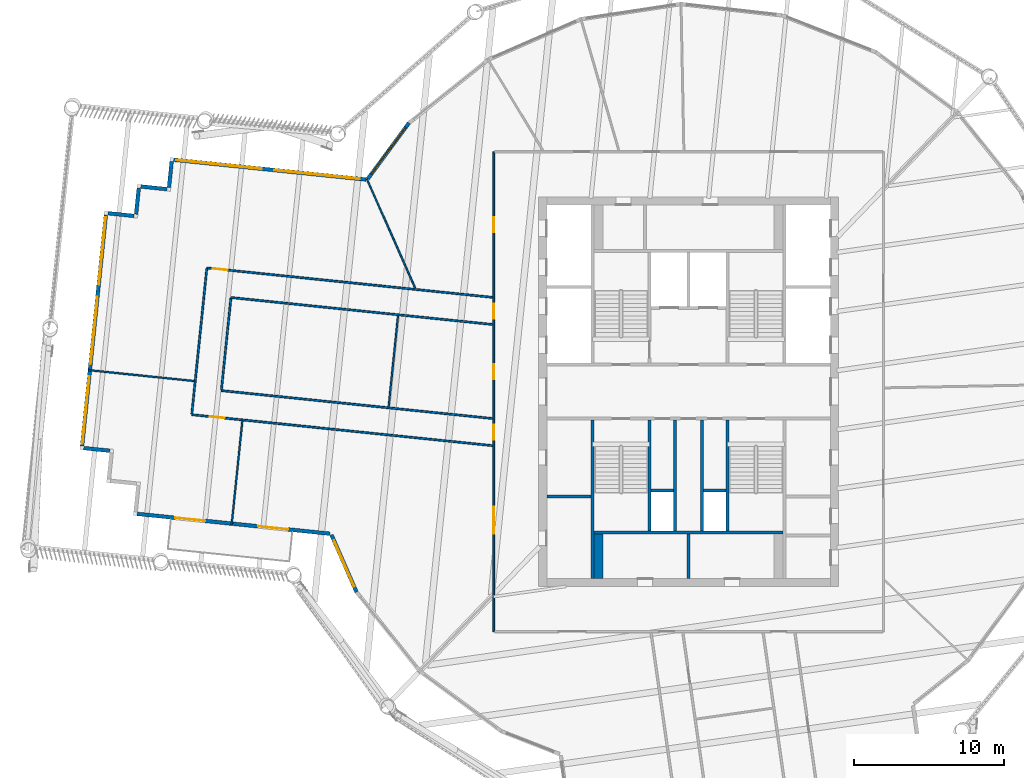
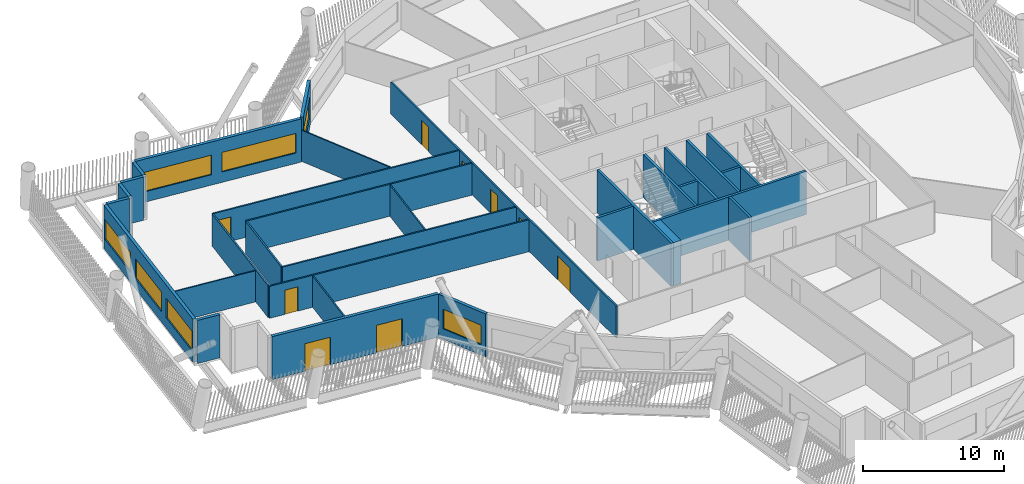
# One storey, part 4 of 22: 32 walls, 9 doors, 7 windows, 16 openings.
"""IFC4 building model written with IfcOpenShell, lengths in metres."""

from ifc_helpers import new_model, si_unit, direction, frame, frame_2d, origin, place, context, subcontext, project, spatial, rectangle, extrude, material, layer, layer_set, type_object, element, fill, save


model = new_model("IFC4")

# Units and contexts
model_context = context("Model", 3, precision=1e-05, world=origin(), true_north=direction((0.0, 1.0)))
body_context = subcontext(model_context, "Body", "Model", "MODEL_VIEW")
ifc_project = project(units=[si_unit("LENGTHUNIT", "METRE"), si_unit("AREAUNIT", "SQUARE_METRE"), si_unit("VOLUMEUNIT", "CUBIC_METRE"), si_unit("PLANEANGLEUNIT", "RADIAN"), si_unit("MASSUNIT", "GRAM", prefix="KILO")], contexts=[model_context])

# Site, building, storey
site_placement = place(None, origin())
site = spatial("IfcSite", under=ifc_project, at=site_placement, CompositionType="ELEMENT")
building_placement = place(site_placement, origin())
building = spatial("IfcBuilding", under=site, at=building_placement, Name="Tarsis Ring Headquarters", CompositionType="ELEMENT")
storey_placement = place(building_placement, frame((0.0, 0.0, 263.0)))
storey = spatial("IfcBuildingStorey", under=building, at=storey_placement, Name="L61", CompositionType="ELEMENT", Elevation=263.0)

# Walls
ifc_material_1 = material(Name="Blockwork", Category="masonry")
ifc_layer_1 = layer(ifc_material_1, 0.199951171875)
ifc_layer_set_1 = layer_set([ifc_layer_1], Name="Core blockwork wall 200")
wall_type_1 = type_object("IfcWallType", Name="Core blockwork wall 200", PredefinedType="PARTITIONING", material=ifc_layer_set_1)
for number, where, z_axis, x_axis, name in (
    (1, (-9.449951171875, -7.0, 0.0), (0.0, 0.0, 1.0), (1.0, 0.0, 0.0), "Core partition WD2"),
    (2, (0.0, -12.449951171875, 0.0), (0.0, 0.0, 1.0), (0.0, 1.0, 0.0), "Core partition SD2"),
):
    element("IfcWall", number, at=place(storey_placement, frame(where, z_axis=z_axis, x_axis=x_axis)), inside=storey, type_object=wall_type_1, Name=name, PredefinedType="PARTITIONING", context=body_context, shape_type="SweptSolid", body=[
        extrude(rectangle(XDim=2.949951171875, YDim=0.199951171875, at=frame_2d((1.47509765625, 0.0))), origin(), (0.0, 0.0, 1.0), 3.739990234375),
    ])
for number, where, z_axis, x_axis, name in (
    (3, (-2.5, -6.60009765625, 0.0), (0.0, 0.0, 1.0), (1.0, 0.0, 0.0), "Core partition SP1"),
    (4, (1.0, -6.60009765625, 0.0), (0.0, 0.0, 1.0), (1.0, 0.0, 0.0), "Core partition SP3"),
):
    element("IfcWall", number, at=place(storey_placement, frame(where, z_axis=z_axis, x_axis=x_axis)), inside=storey, type_object=wall_type_1, Name=name, PredefinedType="PARTITIONING", context=body_context, shape_type="SweptSolid", body=[
        extrude(rectangle(XDim=1.5, YDim=0.199951171875, at=frame_2d((0.75, 0.0))), origin(), (0.0, 0.0, 1.0), 3.739990234375),
    ])
for number, where, z_axis, x_axis, name in (
    (5, (-0.89990234375, -9.300048828125, 0.0), (0.0, 0.0, 1.0), (0.0, 1.0, 0.0), "Core partition SV1"),
    (6, (0.89990234375, -9.300048828125, 0.0), (0.0, 0.0, 1.0), (0.0, 1.0, 0.0), "Core partition SV2"),
):
    element("IfcWall", number, at=place(storey_placement, frame(where, z_axis=z_axis, x_axis=x_axis)), inside=storey, type_object=wall_type_1, Name=name, PredefinedType="PARTITIONING", context=body_context, shape_type="SweptSolid", body=[
        extrude(rectangle(XDim=7.400146484375, YDim=0.199951171875, at=frame_2d((3.7001953125, 0.0))), origin(), (0.0, 0.0, 1.0), 3.739990234375),
    ])
ifc_material_2 = material(Name="Gypsum board on steel studs", Category="steel")
ifc_layer_2 = layer(ifc_material_2, 0.10009765625)
ifc_layer_set_2 = layer_set([ifc_layer_2], Name="FL partition 100 unrated")
wall_type_2 = type_object("IfcWallType", Name="FL partition 100 unrated", PredefinedType="PARTITIONING", material=ifc_layer_set_2)
wall_1_placement = place(storey_placement, frame((-21.461181640625, 14.1982421875, 0.0), z_axis=(0.0, 0.0, 1.0), x_axis=(0.404678304891, -0.91445911311, 0.0)))
element("IfcWall", 7, at=wall_1_placement, inside=storey, type_object=wall_type_2, Name="Partition PW3", PredefinedType="PARTITIONING", context=body_context, shape_type="SweptSolid", body=[
    extrude(rectangle(XDim=7.976806640625, YDim=0.10009765625, at=frame_2d((3.98828125, 0.0))), origin(), (0.0, 0.0, 1.0), 2.699951171875),
])
wall_2_placement = place(storey_placement, frame((-40.01318359375, 1.436767578125, 0.0), z_axis=(0.0, 0.0, 1.0), x_axis=(0.994737400221, -0.102457330641, 0.0)))
element("IfcWall", 8, at=wall_2_placement, inside=storey, type_object=wall_type_2, Name="Partition PW3", PredefinedType="PARTITIONING", context=body_context, shape_type="SweptSolid", body=[
    extrude(rectangle(XDim=7.06982421875, YDim=0.10009765625, at=frame_2d((3.534912109375, 0.0))), origin(), (0.0, 0.0, 1.0), 2.699951171875),
])
wall_3_placement = place(storey_placement, frame((-30.4794921875, -8.874267578125, 0.0), z_axis=(0.0, 0.0, 1.0), x_axis=(0.102424035432, 0.994740829043, 0.0)))
element("IfcWall", 9, at=wall_3_placement, inside=storey, type_object=wall_type_2, Name="Partition PW3", PredefinedType="PARTITIONING", context=body_context, shape_type="SweptSolid", body=[
    extrude(rectangle(XDim=6.960205078125, YDim=0.10009765625, at=frame_2d((3.47998046875, 0.0))), origin(), (0.0, 0.0, 1.0), 2.699951171875),
])
wall_4_placement = place(storey_placement, frame((-20.00830078125, -1.005615234375, 0.0), z_axis=(0.0, 0.0, 1.0), x_axis=(0.1024553716, 0.994737601999, 0.0)))
element("IfcWall", 10, at=wall_4_placement, inside=storey, type_object=wall_type_2, Name="Partition PW3", PredefinedType="PARTITIONING", context=body_context, shape_type="SweptSolid", body=[
    extrude(rectangle(XDim=6.10009765625, YDim=0.10009765625, at=frame_2d((3.050048828125, 0.0))), origin(), (0.0, 0.0, 1.0), 2.699951171875),
])

# Wall, openings, doors
ifc_layer_3 = layer(ifc_material_2, 0.125)
ifc_layer_set_3 = layer_set([ifc_layer_3], Name="FL partition 125 EI 60 H2770")
wall_type_3 = type_object("IfcWallType", Name="FL partition 125 EI 60 H2770", PredefinedType="PARTITIONING", material=ifc_layer_set_3)
wall_5_placement = place(storey_placement, frame((-13.0, -16.0, 0.0), z_axis=(0.0, 0.0, 1.0), x_axis=(0.0, 1.0, 0.0)))
wall_5 = element("IfcWall", 11, at=wall_5_placement, inside=storey, type_object=wall_type_3, Name="Partition PW1", PredefinedType="PARTITIONING", context=body_context, shape_type="SweptSolid", body=[
    extrude(rectangle(XDim=32.0, YDim=0.125, at=frame_2d((16.0, 0.0))), origin(), (0.0, 0.0, 1.0), 2.77001953125),
])
opening_1_placement = place(wall_5_placement, frame((26.642333984375, 0.0, 0.0)))
opening_1 = element("IfcOpeningElement", 12, at=opening_1_placement, cuts=wall_5, Name="Opening D61.03", PredefinedType="OPENING", context=body_context, shape_type="SweptSolid", body=[
    extrude(rectangle(XDim=1.0, YDim=2.10009765625, at=frame_2d((0.5, 1.050048828125))), frame((0.0, 0.072509765625, 0.0), z_axis=(0.0, -1.0, 0.0), x_axis=(1.0, 0.0, 0.0)), (0.0, 0.0, 1.0), 0.14501953125),
])
opening_2_placement = place(wall_5_placement, frame((6.537109375, 0.0, 0.0)))
opening_2 = element("IfcOpeningElement", 13, at=opening_2_placement, cuts=wall_5, Name="Opening D61.12", PredefinedType="OPENING", context=body_context, shape_type="SweptSolid", body=[
    extrude(rectangle(XDim=1.800048828125, YDim=2.10009765625, at=frame_2d((0.89990234375, 1.050048828125))), frame((0.0, 0.072509765625, 0.0), z_axis=(0.0, -1.0, 0.0), x_axis=(1.0, 0.0, 0.0)), (0.0, 0.0, 1.0), 0.14501953125),
])
opening_3_placement = place(wall_5_placement, frame((16.8388671875, 0.0, 0.0)))
opening_3 = element("IfcOpeningElement", 14, at=opening_3_placement, cuts=wall_5, Name="Opening D61.13", PredefinedType="OPENING", context=body_context, shape_type="SweptSolid", body=[
    extrude(rectangle(XDim=1.0, YDim=2.10009765625, at=frame_2d((0.5, 1.050048828125))), frame((0.0, 0.072509765625, 0.0), z_axis=(0.0, -1.0, 0.0), x_axis=(1.0, 0.0, 0.0)), (0.0, 0.0, 1.0), 0.14501953125),
])
opening_4_placement = place(wall_5_placement, frame((12.797607421875, 0.0, 0.0)))
opening_4 = element("IfcOpeningElement", 15, at=opening_4_placement, cuts=wall_5, Name="Opening D61.18", PredefinedType="OPENING", context=body_context, shape_type="SweptSolid", body=[
    extrude(rectangle(XDim=1.0, YDim=2.10009765625, at=frame_2d((0.5, 1.050048828125))), frame((0.0, 0.072509765625, 0.0), z_axis=(0.0, -1.0, 0.0), x_axis=(1.0, 0.0, 0.0)), (0.0, 0.0, 1.0), 0.14501953125),
])
opening_5_placement = place(wall_5_placement, frame((20.880126953125, 0.0, 0.0)))
opening_5 = element("IfcOpeningElement", 16, at=opening_5_placement, cuts=wall_5, Name="Opening D61.19", PredefinedType="OPENING", context=body_context, shape_type="SweptSolid", body=[
    extrude(rectangle(XDim=1.0, YDim=2.10009765625, at=frame_2d((0.5, 1.050048828125))), frame((0.0, 0.072509765625, 0.0), z_axis=(0.0, -1.0, 0.0), x_axis=(1.0, 0.0, 0.0)), (0.0, 0.0, 1.0), 0.14501953125),
])
ifc_material_3 = material(Name="Fire-rated timber door leaf in steel frame", Category="steel")
door_type_1 = type_object("IfcDoorType", Name="FL door FD60-1000", OperationType="NOTDEFINED", PredefinedType="DOOR", material=ifc_material_3)
door_1_placement = place(opening_1_placement, origin())
door_1 = element("IfcDoor", 17, at=door_1_placement, inside=storey, type_object=door_type_1, Name="Door D61.03", OperationType="SINGLE_SWING_RIGHT", OverallHeight=2.10009765625, OverallWidth=1.0, PredefinedType="DOOR", context=body_context, shape_type="SweptSolid", body=[
    extrude(rectangle(XDim=1.0, YDim=2.10009765625, at=frame_2d((0.5, 1.050048828125))), frame((0.0, 0.02490234375, 0.0), z_axis=(0.0, -1.0, 0.0), x_axis=(1.0, 0.0, 0.0)), (0.0, 0.0, 1.0), 0.050048828125),
])
fill(opening_1, door_1)
door_2_placement = place(opening_3_placement, origin())
door_2 = element("IfcDoor", 18, at=door_2_placement, inside=storey, type_object=door_type_1, Name="Door D61.13", OperationType="SINGLE_SWING_RIGHT", OverallHeight=2.10009765625, OverallWidth=1.0, PredefinedType="DOOR", context=body_context, shape_type="SweptSolid", body=[
    extrude(rectangle(XDim=1.0, YDim=2.10009765625, at=frame_2d((0.5, 1.050048828125))), frame((0.0, 0.02490234375, 0.0), z_axis=(0.0, -1.0, 0.0), x_axis=(1.0, 0.0, 0.0)), (0.0, 0.0, 1.0), 0.050048828125),
])
fill(opening_3, door_2)
door_3_placement = place(opening_4_placement, origin())
door_3 = element("IfcDoor", 19, at=door_3_placement, inside=storey, type_object=door_type_1, Name="Door D61.18", OperationType="SINGLE_SWING_LEFT", OverallHeight=2.10009765625, OverallWidth=1.0, PredefinedType="DOOR", context=body_context, shape_type="SweptSolid", body=[
    extrude(rectangle(XDim=1.0, YDim=2.10009765625, at=frame_2d((0.5, 1.050048828125))), frame((0.0, 0.02490234375, 0.0), z_axis=(0.0, -1.0, 0.0), x_axis=(1.0, 0.0, 0.0)), (0.0, 0.0, 1.0), 0.050048828125),
])
fill(opening_4, door_3)
door_4_placement = place(opening_5_placement, origin())
door_4 = element("IfcDoor", 20, at=door_4_placement, inside=storey, type_object=door_type_1, Name="Door D61.19", OperationType="SINGLE_SWING_RIGHT", OverallHeight=2.10009765625, OverallWidth=1.0, PredefinedType="DOOR", context=body_context, shape_type="SweptSolid", body=[
    extrude(rectangle(XDim=1.0, YDim=2.10009765625, at=frame_2d((0.5, 1.050048828125))), frame((0.0, 0.02490234375, 0.0), z_axis=(0.0, -1.0, 0.0), x_axis=(1.0, 0.0, 0.0)), (0.0, 0.0, 1.0), 0.050048828125),
])
fill(opening_5, door_4)
door_type_2 = type_object("IfcDoorType", Name="FL door FD60-1800", OperationType="DOUBLE_DOOR_SINGLE_SWING", PredefinedType="DOOR", material=ifc_material_3)
door_5_placement = place(opening_2_placement, origin())
door_5 = element("IfcDoor", 21, at=door_5_placement, inside=storey, type_object=door_type_2, Name="Door D61.12", OperationType="DOUBLE_DOOR_SINGLE_SWING", OverallHeight=2.10009765625, OverallWidth=1.800048828125, PredefinedType="DOOR", context=body_context, shape_type="SweptSolid", body=[
    extrude(rectangle(XDim=1.800048828125, YDim=2.10009765625, at=frame_2d((0.89990234375, 1.050048828125))), frame((0.0, 0.02490234375, 0.0), z_axis=(0.0, -1.0, 0.0), x_axis=(1.0, 0.0, 0.0)), (0.0, 0.0, 1.0), 0.050048828125),
])
fill(opening_2, door_5)

# Wall, opening, door
wall_6_placement = place(storey_placement, frame((-33.141357421875, -1.532958984375, 0.0), z_axis=(0.0, 0.0, 1.0), x_axis=(0.994738621738, -0.102445470483, 0.0)))
wall_6 = element("IfcWall", 22, at=wall_6_placement, inside=storey, type_object=wall_type_3, Name="Partition PW1", PredefinedType="PARTITIONING", context=body_context, shape_type="SweptSolid", body=[
    extrude(rectangle(XDim=20.177978515625, YDim=0.125, at=frame_2d((10.0888671875, 0.0))), origin(), (0.0, 0.0, 1.0), 2.77001953125),
])
opening_6_placement = place(wall_6_placement, frame((1.197998046875, 0.0, 0.0)))
opening_6 = element("IfcOpeningElement", 23, at=opening_6_placement, cuts=wall_6, Name="Opening D61.01", PredefinedType="OPENING", context=body_context, shape_type="SweptSolid", body=[
    extrude(rectangle(XDim=1.0, YDim=2.10009765625, at=frame_2d((0.5, 1.050048828125))), frame((0.0, 0.072509765625, 0.0), z_axis=(0.0, -1.0, 0.0), x_axis=(1.0, 0.0, 0.0)), (0.0, 0.0, 1.0), 0.14501953125),
])
door_6_placement = place(opening_6_placement, origin())
door_6 = element("IfcDoor", 24, at=door_6_placement, inside=storey, type_object=door_type_1, Name="Door D61.01", OperationType="SINGLE_SWING_RIGHT", OverallHeight=2.10009765625, OverallWidth=1.0, PredefinedType="DOOR", context=body_context, shape_type="SweptSolid", body=[
    extrude(rectangle(XDim=1.0, YDim=2.10009765625, at=frame_2d((0.5, 1.050048828125))), frame((0.0, 0.02490234375, 0.0), z_axis=(0.0, -1.0, 0.0), x_axis=(1.0, 0.0, 0.0)), (0.0, 0.0, 1.0), 0.050048828125),
])
fill(opening_6, door_6)

wall_7_placement = place(storey_placement, frame((-32.13330078125, 8.25537109375, 0.0), z_axis=(0.0, 0.0, 1.0), x_axis=(0.994738317087, -0.102448428584, 0.0)))
wall_7 = element("IfcWall", 25, at=wall_7_placement, inside=storey, type_object=wall_type_3, Name="Partition PW1", PredefinedType="PARTITIONING", context=body_context, shape_type="SweptSolid", body=[
    extrude(rectangle(XDim=19.16455078125, YDim=0.125, at=frame_2d((9.582275390625, 0.0))), origin(), (0.0, 0.0, 1.0), 2.77001953125),
])
opening_7_placement = place(wall_7_placement, frame((0.39990234375, 0.0, 0.0)))
opening_7 = element("IfcOpeningElement", 26, at=opening_7_placement, cuts=wall_7, Name="Opening D61.02", PredefinedType="OPENING", context=body_context, shape_type="SweptSolid", body=[
    extrude(rectangle(XDim=1.0, YDim=2.10009765625, at=frame_2d((0.5, 1.050048828125))), frame((0.0, 0.072509765625, 0.0), z_axis=(0.0, -1.0, 0.0), x_axis=(1.0, 0.0, 0.0)), (0.0, 0.0, 1.0), 0.14501953125),
])
door_7_placement = place(opening_7_placement, origin())
door_7 = element("IfcDoor", 27, at=door_7_placement, inside=storey, type_object=door_type_1, Name="Door D61.02", OperationType="SINGLE_SWING_LEFT", OverallHeight=2.10009765625, OverallWidth=1.0, PredefinedType="DOOR", context=body_context, shape_type="SweptSolid", body=[
    extrude(rectangle(XDim=1.0, YDim=2.10009765625, at=frame_2d((0.5, 1.050048828125))), frame((0.0, 0.02490234375, 0.0), z_axis=(0.0, -1.0, 0.0), x_axis=(1.0, 0.0, 0.0)), (0.0, 0.0, 1.0), 0.050048828125),
])
fill(opening_7, door_7)

# Walls
wall_8_placement = place(storey_placement, frame((-31.16650390625, 0.0732421875, 0.0), z_axis=(0.0, 0.0, 1.0), x_axis=(0.99473853356, -0.102446326681, 0.0)))
element("IfcWall", 28, at=wall_8_placement, inside=storey, type_object=wall_type_3, Name="Partition PW1", PredefinedType="PARTITIONING", context=body_context, shape_type="SweptSolid", body=[
    extrude(rectangle(XDim=18.192626953125, YDim=0.125, at=frame_2d((9.09619140625, 0.0))), origin(), (0.0, 0.0, 1.0), 2.77001953125),
])
wall_9_placement = place(storey_placement, frame((-30.527099609375, 6.280517578125, 0.0), z_axis=(0.0, 0.0, 1.0), x_axis=(0.994737504171, -0.102456321403, 0.0)))
element("IfcWall", 29, at=wall_9_placement, inside=storey, type_object=wall_type_3, Name="Partition PW1", PredefinedType="PARTITIONING", context=body_context, shape_type="SweptSolid", body=[
    extrude(rectangle(XDim=17.5498046875, YDim=0.125, at=frame_2d((8.77490234375, 0.0))), origin(), (0.0, 0.0, 1.0), 2.77001953125),
])
wall_10_placement = place(storey_placement, frame((-33.13525390625, -1.47314453125, 0.0), z_axis=(0.0, 0.0, 1.0), x_axis=(0.102452676768, 0.994737879556, 0.0)))
element("IfcWall", 30, at=wall_10_placement, inside=storey, type_object=wall_type_3, Name="Partition PW1", PredefinedType="PARTITIONING", context=body_context, shape_type="SweptSolid", body=[
    extrude(rectangle(XDim=9.72021484375, YDim=0.125, at=frame_2d((4.860107421875, 0.0))), origin(), (0.0, 0.0, 1.0), 2.77001953125),
])
wall_11_placement = place(storey_placement, frame((-31.160400390625, 0.1328125, 0.0), z_axis=(0.0, 0.0, 1.0), x_axis=(0.102441840735, 0.994738995549, 0.0)))
element("IfcWall", 31, at=wall_11_placement, inside=storey, type_object=wall_type_3, Name="Partition PW1", PredefinedType="PARTITIONING", context=body_context, shape_type="SweptSolid", body=[
    extrude(rectangle(XDim=6.1201171875, YDim=0.125, at=frame_2d((3.06005859375, 0.0))), origin(), (0.0, 0.0, 1.0), 2.77001953125),
])

# Wall, openings, doors
ifc_material_4 = material(Name="Terracotta clad insulated panel wall", Category="masonry")
ifc_layer_4 = layer(ifc_material_4, 0.25)
ifc_layer_set_4 = layer_set([ifc_layer_4], Name="Facade wall terracotta panel 250")
wall_type_4 = type_object("IfcWallType", Name="Facade wall terracotta panel 250", PredefinedType="STANDARD", material=ifc_layer_set_4)
wall_12_placement = place(storey_placement, frame((-36.778564453125, -8.150146484375, 0.0), z_axis=(0.0, 0.0, 1.0), x_axis=(0.994739364289, -0.102438260112, 0.0)))
wall_12 = element("IfcWall", 32, at=wall_12_placement, inside=storey, type_object=wall_type_4, Name="External wall L61-01", PredefinedType="STANDARD", context=body_context, shape_type="SweptSolid", body=[
    extrude(rectangle(XDim=12.922119140625, YDim=0.25, at=frame_2d((6.4609375, 0.0))), origin(), (0.0, 0.0, 1.0), 3.739990234375),
])
opening_8_placement = place(wall_12_placement, frame((2.550048828125, 0.0, 0.0)))
opening_8 = element("IfcOpeningElement", 33, at=opening_8_placement, cuts=wall_12, Name="Opening L61-BD01", PredefinedType="OPENING", context=body_context, shape_type="SweptSolid", body=[
    extrude(rectangle(XDim=2.0, YDim=2.39990234375, at=frame_2d((1.0, 1.199951171875))), frame((0.0, 0.135009765625, 0.0), z_axis=(0.0, -1.0, 0.0), x_axis=(1.0, 0.0, 0.0)), (0.0, 0.0, 1.0), 0.27001953125),
])
opening_9_placement = place(wall_12_placement, frame((8.1220703125, 0.0, 0.0)))
opening_9 = element("IfcOpeningElement", 34, at=opening_9_placement, cuts=wall_12, Name="Opening L61-BD02", PredefinedType="OPENING", context=body_context, shape_type="SweptSolid", body=[
    extrude(rectangle(XDim=2.0, YDim=2.39990234375, at=frame_2d((1.0, 1.199951171875))), frame((0.0, 0.135009765625, 0.0), z_axis=(0.0, -1.0, 0.0), x_axis=(1.0, 0.0, 0.0)), (0.0, 0.0, 1.0), 0.27001953125),
])
ifc_material_5 = material(Name="Aluminium framed double glazing", Category="aluminium")
door_type_3 = type_object("IfcDoorType", Name="Balcony sliding door 2000 x 2400", OperationType="SLIDING_TO_LEFT", PredefinedType="DOOR", material=ifc_material_5)
door_8_placement = place(opening_8_placement, origin())
door_8 = element("IfcDoor", 35, at=door_8_placement, inside=storey, type_object=door_type_3, Name="Door L61-BD01", OperationType="SINGLE_SWING_LEFT", OverallHeight=2.39990234375, OverallWidth=2.0, PredefinedType="DOOR", context=body_context, shape_type="SweptSolid", body=[
    extrude(rectangle(XDim=2.0, YDim=2.39990234375, at=frame_2d((1.0, 1.199951171875))), frame((0.0, 0.02490234375, 0.0), z_axis=(0.0, -1.0, 0.0), x_axis=(1.0, 0.0, 0.0)), (0.0, 0.0, 1.0), 0.050048828125),
])
fill(opening_8, door_8)
door_9_placement = place(opening_9_placement, origin())
door_9 = element("IfcDoor", 36, at=door_9_placement, inside=storey, type_object=door_type_3, Name="Door L61-BD02", OperationType="SINGLE_SWING_LEFT", OverallHeight=2.39990234375, OverallWidth=2.0, PredefinedType="DOOR", context=body_context, shape_type="SweptSolid", body=[
    extrude(rectangle(XDim=2.0, YDim=2.39990234375, at=frame_2d((1.0, 1.199951171875))), frame((0.0, 0.02490234375, 0.0), z_axis=(0.0, -1.0, 0.0), x_axis=(1.0, 0.0, 0.0)), (0.0, 0.0, 1.0), 0.050048828125),
])
fill(opening_9, door_9)

# Wall, opening, window
wall_13_placement = place(storey_placement, frame((-23.82275390625, -9.548095703125, 0.0), z_axis=(0.0, 0.0, 1.0), x_axis=(0.400655563134, -0.916228748583, 0.0)))
wall_13 = element("IfcWall", 37, at=wall_13_placement, inside=storey, type_object=wall_type_4, Name="External wall L61-02", PredefinedType="STANDARD", context=body_context, shape_type="SweptSolid", body=[
    extrude(rectangle(XDim=4.15771484375, YDim=0.25, at=frame_2d((2.078857421875, 0.0))), origin(), (0.0, 0.0, 1.0), 3.739990234375),
])
opening_10_placement = place(wall_13_placement, frame((0.420166015625, 0.0, 0.89990234375)))
opening_10 = element("IfcOpeningElement", 38, at=opening_10_placement, cuts=wall_13, Name="Opening WN01", PredefinedType="OPENING", context=body_context, shape_type="SweptSolid", body=[
    extrude(rectangle(XDim=3.35009765625, YDim=1.699951171875, at=frame_2d((1.675048828125, 0.85009765625))), frame((0.0, 0.135009765625, 0.0), z_axis=(0.0, -1.0, 0.0), x_axis=(1.0, 0.0, 0.0)), (0.0, 0.0, 1.0), 0.27001953125),
])
window_type_1 = type_object("IfcWindowType", Name="Facade window 3350 x 1700", PartitioningType="SINGLE_PANEL", PredefinedType="WINDOW", material=ifc_material_5)
window_1_placement = place(opening_10_placement, origin())
window_1 = element("IfcWindow", 39, at=window_1_placement, inside=storey, type_object=window_type_1, Name="Window L61-02.1", OverallHeight=1.699951171875, OverallWidth=3.35009765625, PartitioningType="SINGLE_PANEL", PredefinedType="WINDOW", context=body_context, shape_type="SweptSolid", body=[
    extrude(rectangle(XDim=3.35009765625, YDim=1.699951171875, at=frame_2d((1.675048828125, 0.85009765625))), frame((0.0, 0.030029296875, 0.0), z_axis=(0.0, -1.0, 0.0), x_axis=(1.0, 0.0, 0.0)), (0.0, 0.0, 1.0), 0.06005859375),
])
fill(opening_10, window_1)

wall_14_placement = place(storey_placement, frame((-18.659423828125, 17.92138671875, 0.0), z_axis=(0.0, 0.0, 1.0), x_axis=(-0.593117883305, -0.805115629276, 0.0)))
wall_14 = element("IfcWall", 40, at=wall_14_placement, inside=storey, type_object=wall_type_4, Name="External wall L61-30", PredefinedType="STANDARD", context=body_context, shape_type="SweptSolid", body=[
    extrude(rectangle(XDim=4.617919921875, YDim=0.25, at=frame_2d((2.30908203125, 0.0))), origin(), (0.0, 0.0, 1.0), 3.739990234375),
])
opening_11_placement = place(wall_14_placement, frame((0.367431640625, 0.0, 0.89990234375)))
opening_11 = element("IfcOpeningElement", 41, at=opening_11_placement, cuts=wall_14, Name="Opening WN02", PredefinedType="OPENING", context=body_context, shape_type="SweptSolid", body=[
    extrude(rectangle(XDim=3.85009765625, YDim=1.699951171875, at=frame_2d((1.925048828125, 0.85009765625))), frame((0.0, 0.135009765625, 0.0), z_axis=(0.0, -1.0, 0.0), x_axis=(1.0, 0.0, 0.0)), (0.0, 0.0, 1.0), 0.27001953125),
])
window_type_2 = type_object("IfcWindowType", Name="Facade window 3850 x 1700", PartitioningType="SINGLE_PANEL", PredefinedType="WINDOW", material=ifc_material_5)
window_2_placement = place(opening_11_placement, origin())
window_2 = element("IfcWindow", 42, at=window_2_placement, inside=storey, type_object=window_type_2, Name="Window L61-30.1", OverallHeight=1.699951171875, OverallWidth=3.85009765625, PartitioningType="SINGLE_PANEL", PredefinedType="WINDOW", context=body_context, shape_type="SweptSolid", body=[
    extrude(rectangle(XDim=3.85009765625, YDim=1.699951171875, at=frame_2d((1.925048828125, 0.85009765625))), frame((0.0, 0.030029296875, 0.0), z_axis=(0.0, -1.0, 0.0), x_axis=(1.0, 0.0, 0.0)), (0.0, 0.0, 1.0), 0.06005859375),
])
fill(opening_11, window_2)

# Wall, openings, windows
wall_15_placement = place(storey_placement, frame((-21.511962890625, 14.1533203125, 0.0), z_axis=(0.0, 0.0, 1.0), x_axis=(-0.994739839991, 0.10243364064, 0.0)))
wall_15 = element("IfcWall", 43, at=wall_15_placement, inside=storey, type_object=wall_type_4, Name="External wall L61-31", PredefinedType="STANDARD", context=body_context, shape_type="SweptSolid", body=[
    extrude(rectangle(XDim=12.9013671875, YDim=0.25, at=frame_2d((6.45068359375, 0.0))), origin(), (0.0, 0.0, 1.0), 3.739990234375),
])
opening_12_placement = place(wall_15_placement, frame((0.412841796875, 0.0, 0.89990234375)))
opening_12 = element("IfcOpeningElement", 44, at=opening_12_placement, cuts=wall_15, Name="Opening WN06", PredefinedType="OPENING", context=body_context, shape_type="SweptSolid", body=[
    extrude(rectangle(XDim=5.75, YDim=1.699951171875, at=frame_2d((2.875, 0.85009765625))), frame((0.0, 0.135009765625, 0.0), z_axis=(0.0, -1.0, 0.0), x_axis=(1.0, 0.0, 0.0)), (0.0, 0.0, 1.0), 0.27001953125),
])
opening_13_placement = place(wall_15_placement, frame((6.988525390625, 0.0, 0.89990234375)))
opening_13 = element("IfcOpeningElement", 45, at=opening_13_placement, cuts=wall_15, Name="Opening WN06", PredefinedType="OPENING", context=body_context, shape_type="SweptSolid", body=[
    extrude(rectangle(XDim=5.75, YDim=1.699951171875, at=frame_2d((2.875, 0.85009765625))), frame((0.0, 0.135009765625, 0.0), z_axis=(0.0, -1.0, 0.0), x_axis=(1.0, 0.0, 0.0)), (0.0, 0.0, 1.0), 0.27001953125),
])
window_type_3 = type_object("IfcWindowType", Name="Facade window 5750 x 1700", PartitioningType="SINGLE_PANEL", PredefinedType="WINDOW", material=ifc_material_5)
window_3_placement = place(opening_12_placement, origin())
window_3 = element("IfcWindow", 46, at=window_3_placement, inside=storey, type_object=window_type_3, Name="Window L61-31.1", OverallHeight=1.699951171875, OverallWidth=5.75, PartitioningType="SINGLE_PANEL", PredefinedType="WINDOW", context=body_context, shape_type="SweptSolid", body=[
    extrude(rectangle(XDim=5.75, YDim=1.699951171875, at=frame_2d((2.875, 0.85009765625))), frame((0.0, 0.030029296875, 0.0), z_axis=(0.0, -1.0, 0.0), x_axis=(1.0, 0.0, 0.0)), (0.0, 0.0, 1.0), 0.06005859375),
])
fill(opening_12, window_3)
window_4_placement = place(opening_13_placement, origin())
window_4 = element("IfcWindow", 47, at=window_4_placement, inside=storey, type_object=window_type_3, Name="Window L61-31.2", OverallHeight=1.699951171875, OverallWidth=5.75, PartitioningType="SINGLE_PANEL", PredefinedType="WINDOW", context=body_context, shape_type="SweptSolid", body=[
    extrude(rectangle(XDim=5.75, YDim=1.699951171875, at=frame_2d((2.875, 0.85009765625))), frame((0.0, 0.030029296875, 0.0), z_axis=(0.0, -1.0, 0.0), x_axis=(1.0, 0.0, 0.0)), (0.0, 0.0, 1.0), 0.06005859375),
])
fill(opening_13, window_4)

# Walls
for number, where, z_axis, x_axis, name in (
    (48, (-34.482421875, 15.363525390625, 0.0), (0.0, 0.0, 1.0), (-0.102527926362, -0.994730126374, 0.0), "External wall L61-32"),
    (49, (-34.798828125, 13.510986328125, 0.0), (0.0, 0.0, 1.0), (-0.994730126374, 0.102527926362, 0.0), "External wall L61-33"),
):
    element("IfcWall", number, at=place(storey_placement, frame(where, z_axis=z_axis, x_axis=x_axis)), inside=storey, type_object=wall_type_4, Name=name, PredefinedType="STANDARD", context=body_context, shape_type="SweptSolid", body=[
        extrude(rectangle(XDim=1.750244140625, YDim=0.25, at=frame_2d((0.875, 0.0))), origin(), (0.0, 0.0, 1.0), 3.739990234375),
    ])
for number, where, z_axis, x_axis, name in (
    (50, (-36.677001953125, 13.578857421875, 0.0), (0.0, 0.0, 1.0), (-0.102404105832, -0.994742880904, 0.0), "External wall L61-34"),
    (51, (-36.993408203125, 11.7265625, 0.0), (0.0, 0.0, 1.0), (-0.994742880904, 0.102404105832, 0.0), "External wall L61-35"),
):
    element("IfcWall", number, at=place(storey_placement, frame(where, z_axis=z_axis, x_axis=x_axis)), inside=storey, type_object=wall_type_4, Name=name, PredefinedType="STANDARD", context=body_context, shape_type="SweptSolid", body=[
        extrude(rectangle(XDim=1.75, YDim=0.25, at=frame_2d((0.875, 0.0))), origin(), (0.0, 0.0, 1.0), 3.739990234375),
    ])

# Wall, openings, windows
wall_16_placement = place(storey_placement, frame((-38.871337890625, 11.794189453125, 0.0), z_axis=(0.0, 0.0, 1.0), x_axis=(-0.102444510856, -0.994738720567, 0.0)))
wall_16 = element("IfcWall", 52, at=wall_16_placement, inside=storey, type_object=wall_type_4, Name="External wall L61-36", PredefinedType="STANDARD", context=body_context, shape_type="SweptSolid", body=[
    extrude(rectangle(XDim=15.5, YDim=0.25, at=frame_2d((7.75, 0.0))), origin(), (0.0, 0.0, 1.0), 3.739990234375),
])
opening_14_placement = place(wall_16_placement, frame((0.166748046875, 0.0, 0.89990234375)))
opening_14 = element("IfcOpeningElement", 53, at=opening_14_placement, cuts=wall_16, Name="Opening WN04", PredefinedType="OPENING", context=body_context, shape_type="SweptSolid", body=[
    extrude(rectangle(XDim=4.5, YDim=1.699951171875, at=frame_2d((2.25, 0.85009765625))), frame((0.0, 0.135009765625, 0.0), z_axis=(0.0, -1.0, 0.0), x_axis=(1.0, 0.0, 0.0)), (0.0, 0.0, 1.0), 0.27001953125),
])
opening_15_placement = place(wall_16_placement, frame((5.5, 0.0, 0.89990234375)))
opening_15 = element("IfcOpeningElement", 54, at=opening_15_placement, cuts=wall_16, Name="Opening WN04", PredefinedType="OPENING", context=body_context, shape_type="SweptSolid", body=[
    extrude(rectangle(XDim=4.5, YDim=1.699951171875, at=frame_2d((2.25, 0.85009765625))), frame((0.0, 0.135009765625, 0.0), z_axis=(0.0, -1.0, 0.0), x_axis=(1.0, 0.0, 0.0)), (0.0, 0.0, 1.0), 0.27001953125),
])
opening_16_placement = place(wall_16_placement, frame((10.833251953125, 0.0, 0.89990234375)))
opening_16 = element("IfcOpeningElement", 55, at=opening_16_placement, cuts=wall_16, Name="Opening WN04", PredefinedType="OPENING", context=body_context, shape_type="SweptSolid", body=[
    extrude(rectangle(XDim=4.5, YDim=1.699951171875, at=frame_2d((2.25, 0.85009765625))), frame((0.0, 0.135009765625, 0.0), z_axis=(0.0, -1.0, 0.0), x_axis=(1.0, 0.0, 0.0)), (0.0, 0.0, 1.0), 0.27001953125),
])
window_type_4 = type_object("IfcWindowType", Name="Facade window 4500 x 1700", PartitioningType="SINGLE_PANEL", PredefinedType="WINDOW", material=ifc_material_5)
window_5_placement = place(opening_14_placement, origin())
window_5 = element("IfcWindow", 56, at=window_5_placement, inside=storey, type_object=window_type_4, Name="Window L61-36.1", OverallHeight=1.699951171875, OverallWidth=4.5, PartitioningType="SINGLE_PANEL", PredefinedType="WINDOW", context=body_context, shape_type="SweptSolid", body=[
    extrude(rectangle(XDim=4.5, YDim=1.699951171875, at=frame_2d((2.25, 0.85009765625))), frame((0.0, 0.030029296875, 0.0), z_axis=(0.0, -1.0, 0.0), x_axis=(1.0, 0.0, 0.0)), (0.0, 0.0, 1.0), 0.06005859375),
])
fill(opening_14, window_5)
window_6_placement = place(opening_15_placement, origin())
window_6 = element("IfcWindow", 57, at=window_6_placement, inside=storey, type_object=window_type_4, Name="Window L61-36.2", OverallHeight=1.699951171875, OverallWidth=4.5, PartitioningType="SINGLE_PANEL", PredefinedType="WINDOW", context=body_context, shape_type="SweptSolid", body=[
    extrude(rectangle(XDim=4.5, YDim=1.699951171875, at=frame_2d((2.25, 0.85009765625))), frame((0.0, 0.030029296875, 0.0), z_axis=(0.0, -1.0, 0.0), x_axis=(1.0, 0.0, 0.0)), (0.0, 0.0, 1.0), 0.06005859375),
])
fill(opening_15, window_6)
window_7_placement = place(opening_16_placement, origin())
window_7 = element("IfcWindow", 58, at=window_7_placement, inside=storey, type_object=window_type_4, Name="Window L61-36.3", OverallHeight=1.699951171875, OverallWidth=4.5, PartitioningType="SINGLE_PANEL", PredefinedType="WINDOW", context=body_context, shape_type="SweptSolid", body=[
    extrude(rectangle(XDim=4.5, YDim=1.699951171875, at=frame_2d((2.25, 0.85009765625))), frame((0.0, 0.030029296875, 0.0), z_axis=(0.0, -1.0, 0.0), x_axis=(1.0, 0.0, 0.0)), (0.0, 0.0, 1.0), 0.06005859375),
])
fill(opening_16, window_7)

# Walls
wall_17_placement = place(storey_placement, frame((-40.34765625, -3.761474609375, 0.0), z_axis=(0.0, 0.0, 1.0), x_axis=(0.994742880904, -0.102404105832, 0.0)))
element("IfcWall", 59, at=wall_17_placement, inside=storey, type_object=wall_type_4, Name="External wall L61-37", PredefinedType="STANDARD", context=body_context, shape_type="SweptSolid", body=[
    extrude(rectangle(XDim=1.75, YDim=0.25, at=frame_2d((0.875, 0.0))), origin(), (0.0, 0.0, 1.0), 3.739990234375),
])
ifc_material_6 = material(Name="Concrete C32/40", Category="concrete")
ifc_layer_5 = layer(ifc_material_6, 0.60009765625)
ifc_layer_set_5 = layer_set([ifc_layer_5], Name="Shaft end wall 600 C32/40")
wall_type_5 = type_object("IfcWallType", Name="Shaft end wall 600 C32/40", PredefinedType="SOLIDWALL", material=ifc_layer_set_5)
wall_18_placement = place(storey_placement, frame((-6.0, -12.449951171875, 0.0), z_axis=(0.0, 0.0, 1.0), x_axis=(0.0, 1.0, 0.0)))
element("IfcWall", 60, at=wall_18_placement, inside=storey, type_object=wall_type_5, Name="Core shaft wall SNE1", PredefinedType="SOLIDWALL", context=body_context, shape_type="SweptSolid", body=[
    extrude(rectangle(XDim=2.949951171875, YDim=0.60009765625, at=frame_2d((1.47509765625, 0.0))), origin(), (0.0, 0.0, 1.0), 3.739990234375),
])
ifc_layer_6 = layer(ifc_material_6, 0.199951171875)
ifc_layer_set_6 = layer_set([ifc_layer_6], Name="Shaft wall 200 C32/40")
wall_type_6 = type_object("IfcWallType", Name="Shaft wall 200 C32/40", PredefinedType="SOLIDWALL", material=ifc_layer_set_6)
wall_19_placement = place(storey_placement, frame((-6.39990234375, -12.449951171875, 0.0), z_axis=(0.0, 0.0, 1.0), x_axis=(0.0, 1.0, 0.0)))
element("IfcWall", 61, at=wall_19_placement, inside=storey, type_object=wall_type_6, Name="Core shaft wall WB1", PredefinedType="SOLIDWALL", context=body_context, shape_type="SweptSolid", body=[
    extrude(rectangle(XDim=10.550048828125, YDim=0.199951171875, at=frame_2d((5.27490234375, 0.0))), origin(), (0.0, 0.0, 1.0), 3.739990234375),
])
wall_20_placement = place(storey_placement, frame((-6.300048828125, -9.39990234375, 0.0), z_axis=(0.0, 0.0, 1.0), x_axis=(1.0, 0.0, 0.0)))
element("IfcWall", 62, at=wall_20_placement, inside=storey, type_object=wall_type_6, Name="Core shaft wall SB", PredefinedType="SOLIDWALL", context=body_context, shape_type="SweptSolid", body=[
    extrude(rectangle(XDim=12.60009765625, YDim=0.199951171875, at=frame_2d((6.300048828125, 0.0))), origin(), (0.0, 0.0, 1.0), 3.739990234375),
])
for number, where, z_axis, x_axis, name in (
    (63, (-2.60009765625, -9.300048828125, 0.0), (0.0, 0.0, 1.0), (0.0, 1.0, 0.0), "Core shaft wall SW3"),
    (64, (2.60009765625, -9.300048828125, 0.0), (0.0, 0.0, 1.0), (0.0, 1.0, 0.0), "Core shaft wall SW4"),
):
    element("IfcWall", number, at=place(storey_placement, frame(where, z_axis=z_axis, x_axis=x_axis)), inside=storey, type_object=wall_type_6, Name=name, PredefinedType="SOLIDWALL", context=body_context, shape_type="SweptSolid", body=[
        extrude(rectangle(XDim=7.400146484375, YDim=0.199951171875, at=frame_2d((3.7001953125, 0.0))), origin(), (0.0, 0.0, 1.0), 3.739990234375),
    ])

save(model, "model.ifc")
